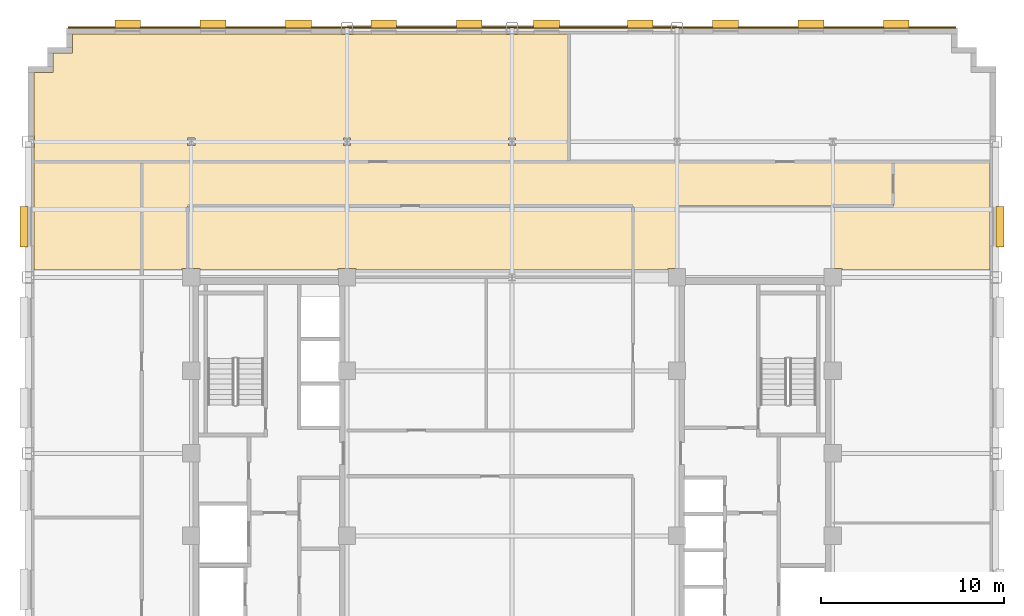
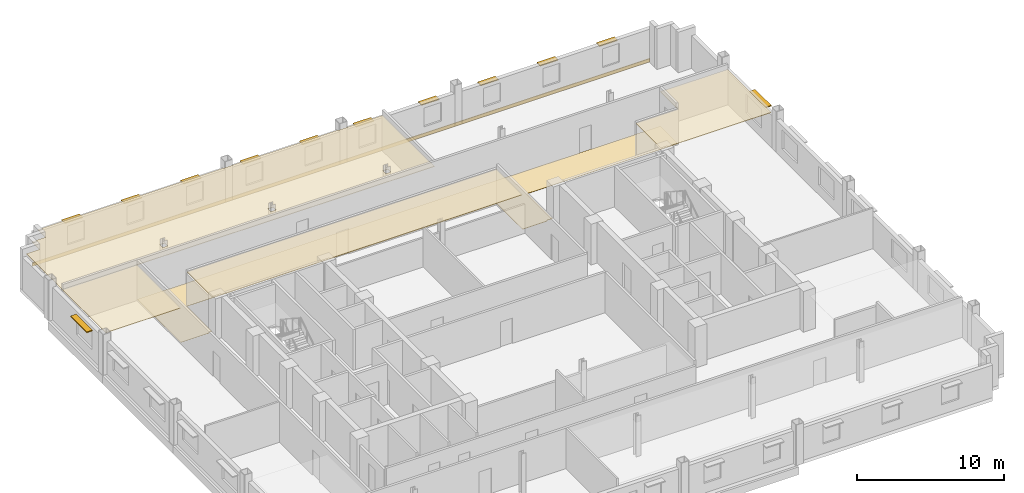
# One storey, part 14 of 14: 12 shading devices, 6 coverings.
"""IFC4 building model written with IfcOpenShell, lengths in metres."""

from ifc_helpers import new_model, si_unit, direction, frame, origin, origin_2d, place, context, subcontext, project, spatial, polyline, rectangle, outline, extrude, source, transform, mapped, material, layer, layer_set, type_object, type_shapes, element, save


model = new_model("IFC4")

# Units and contexts
model_context = context("Model", 3, precision=1e-05, world=origin(), true_north=direction((0.0, 1.0)))
body_context = subcontext(model_context, "Body", "Model", "MODEL_VIEW")
ifc_project = project(units=[si_unit("LENGTHUNIT", "METRE"), si_unit("AREAUNIT", "SQUARE_METRE"), si_unit("VOLUMEUNIT", "CUBIC_METRE"), si_unit("PLANEANGLEUNIT", "RADIAN"), si_unit("MASSUNIT", "GRAM", prefix="KILO")], contexts=[model_context])

# Site, building, storey
site_placement = place(None, origin())
site = spatial("IfcSite", under=ifc_project, at=site_placement, CompositionType="ELEMENT")
building_placement = place(site_placement, origin())
building = spatial("IfcBuilding", under=site, at=building_placement, Name="Nuvemarco Arch Tower", CompositionType="ELEMENT")
storey_placement = place(building_placement, frame((0.0, 0.0, 134.800048828125)))
storey = spatial("IfcBuildingStorey", under=building, at=storey_placement, Name="L35", CompositionType="ELEMENT", Elevation=134.800048828125)

# Coverings
ifc_material_1 = material(Name="Mineral acoustic ceiling tile")
ifc_layer_1 = layer(ifc_material_1, 0.0400390625, Name="COV-ACOUSTIC-CLG")
ifc_layer_set_1 = layer_set([ifc_layer_1], Name="Mineral acoustic ceiling tile")
covering_type_1 = type_object("IfcCoveringType", Name="COV-ACOUSTIC-CLG", PredefinedType="CEILING", material=ifc_layer_set_1)
covering_1_placement = place(storey_placement, frame((0.0, 0.0, 2.849853515625)))
element("IfcCovering", 1, at=covering_1_placement, inside=storey, type_object=covering_type_1, Name="L35 suspended acoustic ceiling 2", PredefinedType="CEILING", context=body_context, shape_type="SweptSolid", body=[
    extrude(outline(polyline([(-26.06005859375, 16.659912109375), (-26.06005859375, 17.340087890625), (-26.080078125, 17.340087890625), (-26.080078125, 20.780029296875), (-25.030029296875, 20.780029296875), (-25.030029296875, 21.830078125), (-23.97998046875, 21.830078125), (-23.97998046875, 22.8798828125), (-9.340087890625, 22.8798828125), (-9.340087890625, 22.860107421875), (-8.659912109375, 22.860107421875), (-8.659912109375, 22.8798828125), (-0.340087890625, 22.8798828125), (-0.340087890625, 22.860107421875), (0.340087890625, 22.860107421875), (0.340087890625, 22.8798828125), (3.10009765625, 22.8798828125), (3.10009765625, 15.89990234375), (-17.699951171875, 15.89990234375), (-20.199951171875, 15.89990234375), (-26.080078125, 15.89990234375), (-26.080078125, 16.659912109375), (-26.06005859375, 16.659912109375)]), holes=[polyline([(-17.304931640625, 16.804931640625), (-17.304931640625, 17.195068359375), (-17.695068359375, 17.195068359375), (-17.695068359375, 16.804931640625), (-17.304931640625, 16.804931640625)]), polyline([(-8.804931640625, 16.804931640625), (-8.804931640625, 17.195068359375), (-9.195068359375, 17.195068359375), (-9.195068359375, 16.804931640625), (-8.804931640625, 16.804931640625)]), polyline([(0.195068359375, 16.804931640625), (0.195068359375, 17.195068359375), (-0.195068359375, 17.195068359375), (-0.195068359375, 16.804931640625), (0.195068359375, 16.804931640625)])]), origin(), (0.0, 0.0, 1.0), 0.0400390625),
])
covering_2_placement = place(storey_placement, frame((0.0, 0.0, 2.849853515625)))
element("IfcCovering", 2, at=covering_2_placement, inside=storey, type_object=covering_type_1, Name="L35 suspended acoustic ceiling 3", PredefinedType="CEILING", context=body_context, shape_type="SweptSolid", body=[
    extrude(outline(polyline([(17.989990234375, 10.090087890625), (17.5, 10.090087890625), (17.5, 13.5), (20.800048828125, 13.5), (20.800048828125, 15.89990234375), (26.080078125, 15.89990234375), (26.080078125, 10.0), (17.989990234375, 10.0), (17.989990234375, 10.090087890625)])), origin(), (0.0, 0.0, 1.0), 0.0400390625),
])
covering_3_placement = place(storey_placement, frame((0.0, 0.0, 2.849853515625)))
element("IfcCovering", 3, at=covering_3_placement, inside=storey, type_object=covering_type_1, Name="L35 suspended acoustic ceiling 4", PredefinedType="CEILING", context=body_context, shape_type="SweptSolid", body=[
    extrude(outline(polyline([(-26.080078125, 15.89990234375), (-20.199951171875, 15.89990234375), (-20.199951171875, 13.5), (-20.199951171875, 10.0), (-26.080078125, 10.0), (-26.080078125, 15.89990234375)])), origin(), (0.0, 0.0, 1.0), 0.0400390625),
])
covering_4_placement = place(storey_placement, frame((0.0, 0.0, 2.849853515625)))
element("IfcCovering", 4, at=covering_4_placement, inside=storey, type_object=covering_type_1, Name="L35 suspended acoustic ceiling 6", PredefinedType="CEILING", context=body_context, shape_type="SweptSolid", body=[
    extrude(outline(polyline([(6.60009765625, 13.5), (6.60009765625, 10.0), (-8.510009765625, 10.0), (-8.510009765625, 10.090087890625), (-9.489990234375, 10.090087890625), (-9.489990234375, 10.0), (-17.010009765625, 10.0), (-17.010009765625, 10.090087890625), (-17.699951171875, 10.090087890625), (-17.699951171875, 13.5), (6.60009765625, 13.5)])), origin(), (0.0, 0.0, 1.0), 0.0400390625),
])
ifc_material_2 = material(Name="Polished granite terrazzostone flooring", Category="masonry")
ifc_layer_2 = layer(ifc_material_2, 0.02001953125, Name="COV-LOBBY-FLR")
ifc_layer_set_2 = layer_set([ifc_layer_2], Name="Polished granite terrazzostone flooring")
covering_type_2 = type_object("IfcCoveringType", Name="COV-LOBBY-FLR", PredefinedType="FLOORING", material=ifc_layer_set_2)
covering_5_placement = place(storey_placement, origin())
element("IfcCovering", 5, at=covering_5_placement, inside=storey, type_object=covering_type_2, Name="L35 polished terrazzo lobby flooring", PredefinedType="FLOORING", context=body_context, shape_type="SweptSolid", body=[
    extrude(outline(polyline([(-20.199951171875, 13.5), (-20.199951171875, 15.89990234375), (-17.699951171875, 15.89990234375), (6.60009765625, 15.89990234375), (9.0, 15.89990234375), (20.800048828125, 15.89990234375), (20.800048828125, 13.5), (9.0, 13.5), (9.0, 10.090087890625), (8.510009765625, 10.090087890625), (8.510009765625, 10.0), (6.60009765625, 10.0), (6.60009765625, 13.5), (-17.699951171875, 13.5), (-17.699951171875, 10.090087890625), (-17.989990234375, 10.090087890625), (-17.989990234375, 10.0), (-20.199951171875, 10.0), (-20.199951171875, 13.5)])), origin(), (0.0, 0.0, 1.0), 0.02001953125),
])

# Shading devices
ifc_material_3 = material(Name="Anodised aluminium 6063-T6", Category="aluminium")
shading_device_type_1 = type_object("IfcShadingDeviceType", Name="SHD-BRISE-SOLEIL", PredefinedType="USERDEFINED", material=ifc_material_3)
shared_shape_1 = source(origin(), body_context, "Body", "SweptSolid", [
    extrude(rectangle(XDim=2.199951171875, YDim=0.449951171875, at=origin_2d()), origin(), (0.0, 0.0, 1.0), 0.080078125),
])
type_shapes(shading_device_type_1, [shared_shape_1])
for number, where, z_axis, x_axis, name in (
    (6, (26.614990234375, 12.364990234375, 2.364990234375), (0.0, 0.0, 1.0), (0.0, 1.0, 0.0), "L35 horizontal brise-soleil sunshade"),
    (7, (-26.614990234375, 12.364990234375, 2.364990234375), (0.0, 0.0, 1.0), (0.0, 1.0, 0.0), "L35 horizontal brise-soleil sunshade"),
):
    element("IfcShadingDevice", number, at=place(storey_placement, frame(where, z_axis=z_axis, x_axis=x_axis)), inside=storey, type_object=shading_device_type_1, Name=name, ObjectType="SUNSHADE", PredefinedType="USERDEFINED", context=body_context, shape_type="MappedRepresentation", body=[
        mapped(shared_shape_1, transform((0.0, 0.0, 0.0), scale=1.0)),
    ])
shading_device_type_2 = type_object("IfcShadingDeviceType", Name="SHD-BRISE-NARROW", PredefinedType="USERDEFINED", material=ifc_material_3)
shared_shape_2 = source(origin(), body_context, "Body", "SweptSolid", [
    extrude(rectangle(XDim=1.39990234375, YDim=0.449951171875, at=origin_2d()), origin(), (0.0, 0.0, 1.0), 0.080078125),
])
type_shapes(shading_device_type_2, [shared_shape_2])
for number, where, z_axis, x_axis, name in (
    (8, (-20.969970703125, 23.4150390625, 2.364990234375), (0.0, 0.0, 1.0), (1.0, 0.0, 0.0), "L35 horizontal brise-soleil sunshade"),
    (9, (-16.31005859375, 23.4150390625, 2.364990234375), (0.0, 0.0, 1.0), (1.0, 0.0, 0.0), "L35 horizontal brise-soleil sunshade"),
    (10, (-11.64990234375, 23.4150390625, 2.364990234375), (0.0, 0.0, 1.0), (1.0, 0.0, 0.0), "L35 horizontal brise-soleil sunshade"),
    (11, (-6.989990234375, 23.4150390625, 2.364990234375), (0.0, 0.0, 1.0), (1.0, 0.0, 0.0), "L35 horizontal brise-soleil sunshade"),
    (12, (-2.330078125, 23.4150390625, 2.364990234375), (0.0, 0.0, 1.0), (1.0, 0.0, 0.0), "L35 horizontal brise-soleil sunshade"),
    (13, (1.8798828125, 23.4150390625, 2.364990234375), (0.0, 0.0, 1.0), (1.0, 0.0, 0.0), "L35 horizontal brise-soleil sunshade"),
    (14, (6.989990234375, 23.4150390625, 2.364990234375), (0.0, 0.0, 1.0), (1.0, 0.0, 0.0), "L35 horizontal brise-soleil sunshade"),
    (15, (11.64990234375, 23.4150390625, 2.364990234375), (0.0, 0.0, 1.0), (1.0, 0.0, 0.0), "L35 horizontal brise-soleil sunshade"),
    (16, (16.31005859375, 23.4150390625, 2.364990234375), (0.0, 0.0, 1.0), (1.0, 0.0, 0.0), "L35 horizontal brise-soleil sunshade"),
    (17, (20.969970703125, 23.4150390625, 2.364990234375), (0.0, 0.0, 1.0), (1.0, 0.0, 0.0), "L35 horizontal brise-soleil sunshade"),
):
    element("IfcShadingDevice", number, at=place(storey_placement, frame(where, z_axis=z_axis, x_axis=x_axis)), inside=storey, type_object=shading_device_type_2, Name=name, ObjectType="SUNSHADE", PredefinedType="USERDEFINED", context=body_context, shape_type="MappedRepresentation", body=[
        mapped(shared_shape_2, transform((0.0, 0.0, 0.0), scale=1.0)),
    ])

# Covering
ifc_material_4 = material(Name="Precast concrete C45/55", Category="concrete")
ifc_layer_3 = layer(ifc_material_4, 0.06005859375, Name="COV-SPANDREL-CLAD")
ifc_layer_set_3 = layer_set([ifc_layer_3], Name="Precast concrete C45/55")
covering_type_3 = type_object("IfcCoveringType", Name="COV-SPANDREL-CLAD", PredefinedType="CLADDING", material=ifc_layer_set_3)
shared_shape_3 = source(origin(), body_context, "Body", "SweptSolid", [
    extrude(rectangle(XDim=48.39990234375, YDim=0.06005859375, at=origin_2d()), origin(), (0.0, 0.0, 1.0), 0.280029296875),
])
type_shapes(covering_type_3, [shared_shape_3])
covering_6_placement = place(storey_placement, frame((0.0, 23.22900390625, -0.2802734375), z_axis=(0.0, 0.0, 1.0), x_axis=(1.0, 0.0, 0.0)))
element("IfcCovering", 18, at=covering_6_placement, inside=storey, type_object=covering_type_3, Name="L35 precast spandrel edge cladding north", PredefinedType="CLADDING", context=body_context, shape_type="MappedRepresentation", body=[
    mapped(shared_shape_3, transform((0.0, 0.0, 0.0), scale=1.0)),
])

save(model, "model.ifc")
